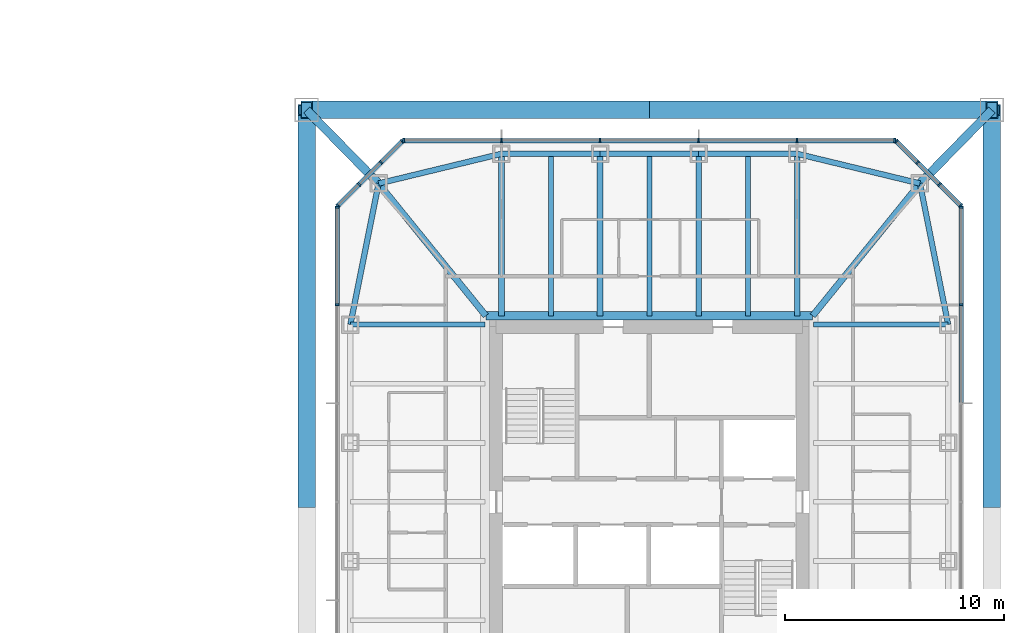
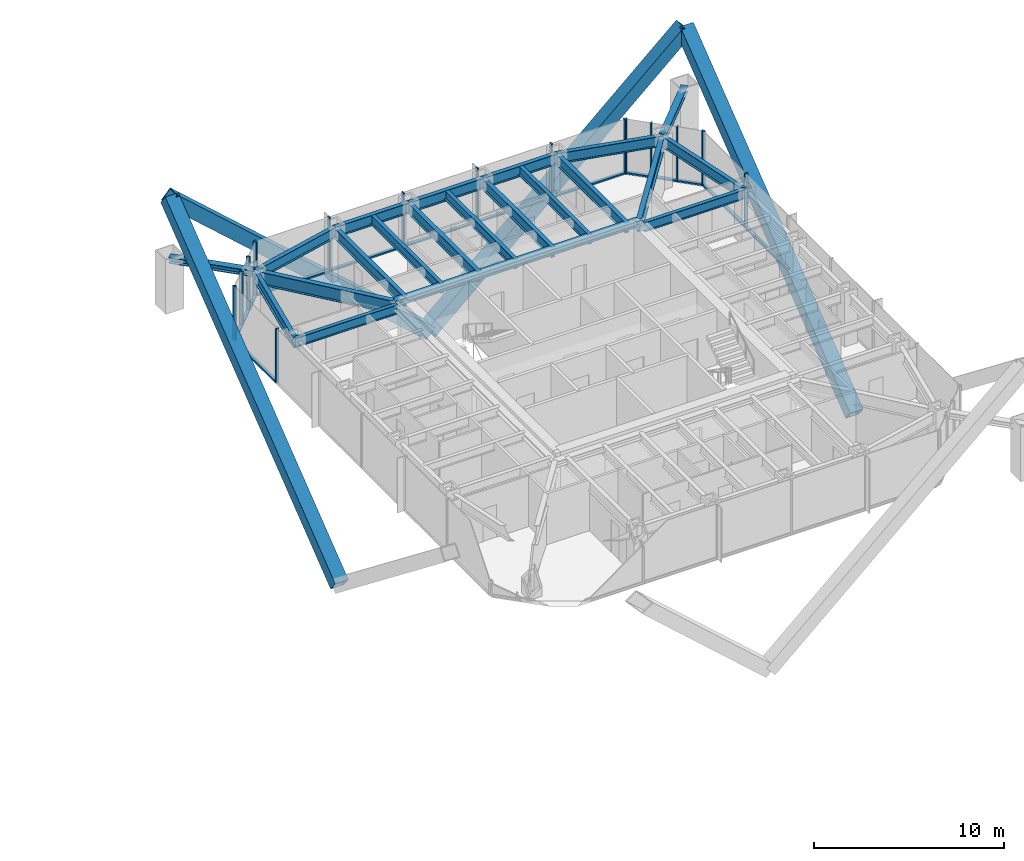
# One storey, part 8 of 23: 38 members, 19 beams, 5 elements without a shape of their own.
"""IFC4 building model written with IfcOpenShell, lengths in metres."""

from ifc_helpers import new_model, si_unit, direction, frame, origin, origin_2d, place, context, subcontext, project, spatial, rectangle, hollow_rectangle, i_section, extrude, material, material_profile, profile_set, type_object, element, aggregate, save


model = new_model("IFC4")

# Units and contexts
model_context = context("Model", 3, precision=1e-05, world=origin(), true_north=direction((0.0, 1.0)))
body_context = subcontext(model_context, "Body", "Model", "MODEL_VIEW")
ifc_project = project(units=[si_unit("LENGTHUNIT", "METRE"), si_unit("AREAUNIT", "SQUARE_METRE"), si_unit("VOLUMEUNIT", "CUBIC_METRE"), si_unit("PLANEANGLEUNIT", "RADIAN"), si_unit("MASSUNIT", "GRAM", prefix="KILO")], contexts=[model_context])

# Site, building, storey
site_placement = place(None, origin())
site = spatial("IfcSite", under=ifc_project, at=site_placement, CompositionType="ELEMENT")
building_placement = place(site_placement, origin())
building = spatial("IfcBuilding", under=site, at=building_placement, Name="Iwan Alto Co-Living Towers", CompositionType="ELEMENT")
storey_placement = place(building_placement, frame((0.0, 0.0, 122.5)))
storey = spatial("IfcBuildingStorey", under=building, at=storey_placement, Name="L33", CompositionType="ELEMENT", Elevation=122.5)

# Curtain wall, members
ifc_material_1 = material(Name="Bronze aluminium unitised frame", Category="aluminium")
curtain_wall_type_1 = type_object("IfcCurtainWallType", Name="CURTAIN WALL CW-C", PredefinedType="NOTDEFINED", material=ifc_material_1)
curtain_wall_1_placement = place(storey_placement, origin())
curtain_wall_1 = element("IfcCurtainWall", 1, at=curtain_wall_1_placement, inside=storey, type_object=curtain_wall_type_1, Name="T2 curtain wall E L33", PredefinedType="NOTDEFINED")
ifc_material_2 = material(Name="Aluminium 6063-T6 bronze anodised", Category="aluminium")
ifc_material_profile_1 = material_profile(ifc_material_2, rectangle(XDim=0.199951171875, YDim=0.080078125, at=origin_2d()), Name="AL 80X200")
ifc_profile_set_1 = profile_set([ifc_material_profile_1], Name="Aluminium 6063-T6 bronze anodised")
member_type_1 = type_object("IfcMemberType", Name="CW-C MULLION 80X200", PredefinedType="MULLION", material=ifc_profile_set_1)
member_1_placement = place(storey_placement, frame((77.25, 9.0, 0.0), z_axis=(0.0, 0.0, 1.0), x_axis=(-1.0, 0.0, 0.0)))
member_1 = element("IfcMember", 2, at=member_1_placement, type_object=member_type_1, Name="CW-C mullion 6", PredefinedType="MULLION", context=body_context, shape_type="SweptSolid", body=[
    extrude(rectangle(XDim=0.199951171875, YDim=0.080078125, at=origin_2d()), origin(), (0.0, 0.0, 1.0), 3.5),
])
member_2_placement = place(storey_placement, frame((77.25, 13.4599609375, 0.0), z_axis=(0.0, 0.0, 1.0), x_axis=(-1.0, 0.0, 0.0)))
member_2 = element("IfcMember", 3, at=member_2_placement, type_object=member_type_1, Name="CW-C mullion 7", PredefinedType="MULLION", context=body_context, shape_type="SweptSolid", body=[
    extrude(rectangle(XDim=0.199951171875, YDim=0.080078125, at=origin_2d()), origin(), (0.0, 0.0, 1.0), 3.5),
])

curtain_wall_2_placement = place(storey_placement, origin())
curtain_wall_2 = element("IfcCurtainWall", 4, at=curtain_wall_2_placement, inside=storey, type_object=curtain_wall_type_1, Name="T2 curtain wall N L33", PredefinedType="NOTDEFINED")
member_3_placement = place(storey_placement, frame((74.2099609375, 16.5, 0.0), z_axis=(0.0, 0.0, 1.0), x_axis=(0.0, -1.0, 0.0)))
member_3 = element("IfcMember", 5, at=member_3_placement, type_object=member_type_1, Name="CW-C mullion 1", PredefinedType="MULLION", context=body_context, shape_type="SweptSolid", body=[
    extrude(rectangle(XDim=0.199951171875, YDim=0.080078125, at=origin_2d()), origin(), (0.0, 0.0, 1.0), 3.5),
])
member_4_placement = place(storey_placement, frame((69.75, 16.5, 0.0), z_axis=(0.0, 0.0, 1.0), x_axis=(0.0, -1.0, 0.0)))
member_4 = element("IfcMember", 6, at=member_4_placement, type_object=member_type_1, Name="CW-C mullion 2", PredefinedType="MULLION", context=body_context, shape_type="SweptSolid", body=[
    extrude(rectangle(XDim=0.199951171875, YDim=0.080078125, at=origin_2d()), origin(), (0.0, 0.0, 1.0), 3.5),
])
member_5_placement = place(storey_placement, frame((65.25, 16.5, 0.0), z_axis=(0.0, 0.0, 1.0), x_axis=(0.0, -1.0, 0.0)))
member_5 = element("IfcMember", 7, at=member_5_placement, type_object=member_type_1, Name="CW-C mullion 3", PredefinedType="MULLION", context=body_context, shape_type="SweptSolid", body=[
    extrude(rectangle(XDim=0.199951171875, YDim=0.080078125, at=origin_2d()), origin(), (0.0, 0.0, 1.0), 3.5),
])
member_6_placement = place(storey_placement, frame((60.75, 16.5, 0.0), z_axis=(0.0, 0.0, 1.0), x_axis=(0.0, -1.0, 0.0)))
member_6 = element("IfcMember", 8, at=member_6_placement, type_object=member_type_1, Name="CW-C mullion 4", PredefinedType="MULLION", context=body_context, shape_type="SweptSolid", body=[
    extrude(rectangle(XDim=0.199951171875, YDim=0.080078125, at=origin_2d()), origin(), (0.0, 0.0, 1.0), 3.5),
])
member_7_placement = place(storey_placement, frame((56.25, 16.5, 0.0), z_axis=(0.0, 0.0, 1.0), x_axis=(0.0, -1.0, 0.0)))
member_7 = element("IfcMember", 9, at=member_7_placement, type_object=member_type_1, Name="CW-C mullion 5", PredefinedType="MULLION", context=body_context, shape_type="SweptSolid", body=[
    extrude(rectangle(XDim=0.199951171875, YDim=0.080078125, at=origin_2d()), origin(), (0.0, 0.0, 1.0), 3.5),
])
member_8_placement = place(storey_placement, frame((51.7900390625, 16.5, 0.0), z_axis=(0.0, 0.0, 1.0), x_axis=(0.0, -1.0, 0.0)))
member_8 = element("IfcMember", 10, at=member_8_placement, type_object=member_type_1, Name="CW-C mullion 6", PredefinedType="MULLION", context=body_context, shape_type="SweptSolid", body=[
    extrude(rectangle(XDim=0.199951171875, YDim=0.080078125, at=origin_2d()), origin(), (0.0, 0.0, 1.0), 3.5),
])

curtain_wall_3_placement = place(storey_placement, origin())
curtain_wall_3 = element("IfcCurtainWall", 11, at=curtain_wall_3_placement, inside=storey, type_object=curtain_wall_type_1, Name="T2 curtain wall W L33", PredefinedType="NOTDEFINED")
member_9_placement = place(storey_placement, frame((48.75, 13.4599609375, 0.0), z_axis=(0.0, 0.0, 1.0), x_axis=(1.0, 0.0, 0.0)))
member_9 = element("IfcMember", 12, at=member_9_placement, type_object=member_type_1, Name="CW-C mullion 1", PredefinedType="MULLION", context=body_context, shape_type="SweptSolid", body=[
    extrude(rectangle(XDim=0.199951171875, YDim=0.080078125, at=origin_2d()), origin(), (0.0, 0.0, 1.0), 3.5),
])
member_10_placement = place(storey_placement, frame((48.75, 9.0, 0.0), z_axis=(0.0, 0.0, 1.0), x_axis=(1.0, 0.0, 0.0)))
member_10 = element("IfcMember", 13, at=member_10_placement, type_object=member_type_1, Name="CW-C mullion 2", PredefinedType="MULLION", context=body_context, shape_type="SweptSolid", body=[
    extrude(rectangle(XDim=0.199951171875, YDim=0.080078125, at=origin_2d()), origin(), (0.0, 0.0, 1.0), 3.5),
])

# Member
ifc_material_3 = material(Name="Aluminium 6063-T6 bronze anodised", Category="aluminium")
ifc_material_profile_2 = material_profile(ifc_material_3, rectangle(XDim=0.199951171875, YDim=0.10009765625, at=origin_2d()), Name="AL 200X100")
ifc_profile_set_2 = profile_set([ifc_material_profile_2], Name="Aluminium 6063-T6 bronze anodised")
member_type_2 = type_object("IfcMemberType", Name="CW-C TRANSOM 200X100", PredefinedType="USERDEFINED", material=ifc_profile_set_2)
member_11_placement = place(storey_placement, frame((77.25, 4.5400390625, 0.050048828125), z_axis=(0.0, 1.0, 0.0), x_axis=(-1.0, 0.0, 0.0)))
member_11 = element("IfcMember", 14, at=member_11_placement, type_object=member_type_2, Name="CW-C transom 5.1", ObjectType="TRANSOM", PredefinedType="USERDEFINED", context=body_context, shape_type="SweptSolid", body=[
    extrude(rectangle(XDim=0.199951171875, YDim=0.10009765625, at=origin_2d()), origin(), (0.0, 0.0, 1.0), 4.419921875),
])

member_12_placement = place(storey_placement, frame((77.25, 9.0400390625, 0.050048828125), z_axis=(0.0, 1.0, 0.0), x_axis=(-1.0, 0.0, 0.0)))
member_12 = element("IfcMember", 15, at=member_12_placement, type_object=member_type_2, Name="CW-C transom 6.1", ObjectType="TRANSOM", PredefinedType="USERDEFINED", context=body_context, shape_type="SweptSolid", body=[
    extrude(rectangle(XDim=0.199951171875, YDim=0.10009765625, at=origin_2d()), origin(), (0.0, 0.0, 1.0), 4.3798828125),
])

aggregate(curtain_wall_1, [member_1, member_2, member_11, member_12])

member_13_placement = place(storey_placement, frame((74.169921875, 16.5, 0.050048828125), z_axis=(-1.0, 0.0, 0.0), x_axis=(0.0, -1.0, 0.0)))
member_13 = element("IfcMember", 16, at=member_13_placement, type_object=member_type_2, Name="CW-C transom 1.1", ObjectType="TRANSOM", PredefinedType="USERDEFINED", context=body_context, shape_type="SweptSolid", body=[
    extrude(rectangle(XDim=0.199951171875, YDim=0.10009765625, at=origin_2d()), origin(), (0.0, 0.0, 1.0), 4.3798828125),
])

member_14_placement = place(storey_placement, frame((69.7099609375, 16.5, 0.050048828125), z_axis=(-1.0, 0.0, 0.0), x_axis=(0.0, -1.0, 0.0)))
member_14 = element("IfcMember", 17, at=member_14_placement, type_object=member_type_2, Name="CW-C transom 2.1", ObjectType="TRANSOM", PredefinedType="USERDEFINED", context=body_context, shape_type="SweptSolid", body=[
    extrude(rectangle(XDim=0.199951171875, YDim=0.10009765625, at=origin_2d()), origin(), (0.0, 0.0, 1.0), 4.419921875),
])

member_15_placement = place(storey_placement, frame((65.2099609375, 16.5, 0.050048828125), z_axis=(-1.0, 0.0, 0.0), x_axis=(0.0, -1.0, 0.0)))
member_15 = element("IfcMember", 18, at=member_15_placement, type_object=member_type_2, Name="CW-C transom 3.1", ObjectType="TRANSOM", PredefinedType="USERDEFINED", context=body_context, shape_type="SweptSolid", body=[
    extrude(rectangle(XDim=0.199951171875, YDim=0.10009765625, at=origin_2d()), origin(), (0.0, 0.0, 1.0), 4.419921875),
])

member_16_placement = place(storey_placement, frame((60.7099609375, 16.5, 0.050048828125), z_axis=(-1.0, 0.0, 0.0), x_axis=(0.0, -1.0, 0.0)))
member_16 = element("IfcMember", 19, at=member_16_placement, type_object=member_type_2, Name="CW-C transom 4.1", ObjectType="TRANSOM", PredefinedType="USERDEFINED", context=body_context, shape_type="SweptSolid", body=[
    extrude(rectangle(XDim=0.199951171875, YDim=0.10009765625, at=origin_2d()), origin(), (0.0, 0.0, 1.0), 4.419921875),
])

member_17_placement = place(storey_placement, frame((56.2099609375, 16.5, 0.050048828125), z_axis=(-1.0, 0.0, 0.0), x_axis=(0.0, -1.0, 0.0)))
member_17 = element("IfcMember", 20, at=member_17_placement, type_object=member_type_2, Name="CW-C transom 5.1", ObjectType="TRANSOM", PredefinedType="USERDEFINED", context=body_context, shape_type="SweptSolid", body=[
    extrude(rectangle(XDim=0.199951171875, YDim=0.10009765625, at=origin_2d()), origin(), (0.0, 0.0, 1.0), 4.3798828125),
])

aggregate(curtain_wall_2, [member_3, member_4, member_5, member_6, member_7, member_8, member_13, member_14, member_15, member_16, member_17])

member_18_placement = place(storey_placement, frame((48.75, 13.419921875, 0.050048828125), z_axis=(0.0, -1.0, 0.0), x_axis=(1.0, 0.0, 0.0)))
member_18 = element("IfcMember", 21, at=member_18_placement, type_object=member_type_2, Name="CW-C transom 1.1", ObjectType="TRANSOM", PredefinedType="USERDEFINED", context=body_context, shape_type="SweptSolid", body=[
    extrude(rectangle(XDim=0.199951171875, YDim=0.10009765625, at=origin_2d()), origin(), (0.0, 0.0, 1.0), 4.3798828125),
])

aggregate(curtain_wall_3, [member_9, member_10, member_18])

# Curtain wall, members
ifc_material_4 = material(Name="Bronze aluminium unitised frame", Category="aluminium")
curtain_wall_type_2 = type_object("IfcCurtainWallType", Name="CURTAIN WALL CW-D", PredefinedType="NOTDEFINED", material=ifc_material_4)
curtain_wall_4_placement = place(storey_placement, origin())
curtain_wall_4 = element("IfcCurtainWall", 22, at=curtain_wall_4_placement, inside=storey, type_object=curtain_wall_type_2, Name="T2 chamfer curtain wall NE L33", PredefinedType="NOTDEFINED")
ifc_material_5 = material(Name="Aluminium 6063-T6 bronze anodised", Category="aluminium")
ifc_material_profile_3 = material_profile(ifc_material_5, rectangle(XDim=0.199951171875, YDim=0.080078125, at=origin_2d()), Name="AL 80X200")
ifc_profile_set_3 = profile_set([ifc_material_profile_3], Name="Aluminium 6063-T6 bronze anodised")
member_type_3 = type_object("IfcMemberType", Name="CW-D MULLION 80X200", PredefinedType="MULLION", material=ifc_profile_set_3)
member_19_placement = place(storey_placement, frame((77.2216796875, 13.5283203125, 0.0), z_axis=(0.0, 0.0, 1.0), x_axis=(-0.707106781187, -0.707106781187, 0.0)))
member_19 = element("IfcMember", 23, at=member_19_placement, type_object=member_type_3, Name="CW-D mullion 1", PredefinedType="MULLION", context=body_context, shape_type="SweptSolid", body=[
    extrude(rectangle(XDim=0.199951171875, YDim=0.080078125, at=origin_2d()), origin(), (0.0, 0.0, 1.0), 3.5),
])
member_20_placement = place(storey_placement, frame((76.25, 14.5, 0.0), z_axis=(0.0, 0.0, 1.0), x_axis=(-0.707106781187, -0.707106781187, 0.0)))
member_20 = element("IfcMember", 24, at=member_20_placement, type_object=member_type_3, Name="CW-D mullion 2", PredefinedType="MULLION", context=body_context, shape_type="SweptSolid", body=[
    extrude(rectangle(XDim=0.199951171875, YDim=0.080078125, at=origin_2d()), origin(), (0.0, 0.0, 1.0), 3.5),
])
member_21_placement = place(storey_placement, frame((75.25, 15.5, 0.0), z_axis=(0.0, 0.0, 1.0), x_axis=(-0.707106781187, -0.707106781187, 0.0)))
member_21 = element("IfcMember", 25, at=member_21_placement, type_object=member_type_3, Name="CW-D mullion 3", PredefinedType="MULLION", context=body_context, shape_type="SweptSolid", body=[
    extrude(rectangle(XDim=0.199951171875, YDim=0.080078125, at=origin_2d()), origin(), (0.0, 0.0, 1.0), 3.5),
])
member_22_placement = place(storey_placement, frame((74.2783203125, 16.4716796875, 0.0), z_axis=(0.0, 0.0, 1.0), x_axis=(-0.707106781187, -0.707106781187, 0.0)))
member_22 = element("IfcMember", 26, at=member_22_placement, type_object=member_type_3, Name="CW-D mullion 4", PredefinedType="MULLION", context=body_context, shape_type="SweptSolid", body=[
    extrude(rectangle(XDim=0.199951171875, YDim=0.080078125, at=origin_2d()), origin(), (0.0, 0.0, 1.0), 3.5),
])

curtain_wall_5_placement = place(storey_placement, origin())
curtain_wall_5 = element("IfcCurtainWall", 27, at=curtain_wall_5_placement, inside=storey, type_object=curtain_wall_type_2, Name="T2 chamfer curtain wall NW L33", PredefinedType="NOTDEFINED")
member_23_placement = place(storey_placement, frame((51.7216796875, 16.4716796875, 0.0), z_axis=(0.0, 0.0, 1.0), x_axis=(0.707106781187, -0.707106781187, 0.0)))
member_23 = element("IfcMember", 28, at=member_23_placement, type_object=member_type_3, Name="CW-D mullion 1", PredefinedType="MULLION", context=body_context, shape_type="SweptSolid", body=[
    extrude(rectangle(XDim=0.199951171875, YDim=0.080078125, at=origin_2d()), origin(), (0.0, 0.0, 1.0), 3.5),
])
member_24_placement = place(storey_placement, frame((50.75, 15.5, 0.0), z_axis=(0.0, 0.0, 1.0), x_axis=(0.707106781187, -0.707106781187, 0.0)))
member_24 = element("IfcMember", 29, at=member_24_placement, type_object=member_type_3, Name="CW-D mullion 2", PredefinedType="MULLION", context=body_context, shape_type="SweptSolid", body=[
    extrude(rectangle(XDim=0.199951171875, YDim=0.080078125, at=origin_2d()), origin(), (0.0, 0.0, 1.0), 3.5),
])
member_25_placement = place(storey_placement, frame((49.75, 14.5, 0.0), z_axis=(0.0, 0.0, 1.0), x_axis=(0.707106781187, -0.707106781187, 0.0)))
member_25 = element("IfcMember", 30, at=member_25_placement, type_object=member_type_3, Name="CW-D mullion 3", PredefinedType="MULLION", context=body_context, shape_type="SweptSolid", body=[
    extrude(rectangle(XDim=0.199951171875, YDim=0.080078125, at=origin_2d()), origin(), (0.0, 0.0, 1.0), 3.5),
])
member_26_placement = place(storey_placement, frame((48.7783203125, 13.5283203125, 0.0), z_axis=(0.0, 0.0, 1.0), x_axis=(0.707106781187, -0.707106781187, 0.0)))
member_26 = element("IfcMember", 31, at=member_26_placement, type_object=member_type_3, Name="CW-D mullion 4", PredefinedType="MULLION", context=body_context, shape_type="SweptSolid", body=[
    extrude(rectangle(XDim=0.199951171875, YDim=0.080078125, at=origin_2d()), origin(), (0.0, 0.0, 1.0), 3.5),
])

# Member
ifc_material_6 = material(Name="Aluminium 6063-T6 bronze anodised", Category="aluminium")
ifc_material_profile_4 = material_profile(ifc_material_6, rectangle(XDim=0.199951171875, YDim=0.10009765625, at=origin_2d()), Name="AL 200X100")
ifc_profile_set_4 = profile_set([ifc_material_profile_4], Name="Aluminium 6063-T6 bronze anodised")
member_type_4 = type_object("IfcMemberType", Name="CW-D TRANSOM 200X100", PredefinedType="USERDEFINED", material=ifc_profile_set_4)
member_27_placement = place(storey_placement, frame((77.193359375, 13.556640625, 0.050048828125), z_axis=(-0.707106781187, 0.707106781187, 0.0), x_axis=(-0.707106781187, -0.707106781187, 0.0)))
member_27 = element("IfcMember", 32, at=member_27_placement, type_object=member_type_4, Name="CW-D transom 1.1", ObjectType="TRANSOM", PredefinedType="USERDEFINED", context=body_context, shape_type="SweptSolid", body=[
    extrude(rectangle(XDim=0.199951171875, YDim=0.10009765625, at=origin_2d()), origin(), (0.0, 0.0, 1.0), 1.2939453125),
])

member_28_placement = place(storey_placement, frame((76.2216796875, 14.5283203125, 0.050048828125), z_axis=(-0.707106781187, 0.707106781187, 0.0), x_axis=(-0.707106781187, -0.707106781187, 0.0)))
member_28 = element("IfcMember", 33, at=member_28_placement, type_object=member_type_4, Name="CW-D transom 2.1", ObjectType="TRANSOM", PredefinedType="USERDEFINED", context=body_context, shape_type="SweptSolid", body=[
    extrude(rectangle(XDim=0.199951171875, YDim=0.10009765625, at=origin_2d()), origin(), (0.0, 0.0, 1.0), 1.334228515625),
])

member_29_placement = place(storey_placement, frame((75.2216796875, 15.5283203125, 0.050048828125), z_axis=(-0.707106781187, 0.707106781187, 0.0), x_axis=(-0.707106781187, -0.707106781187, 0.0)))
member_29 = element("IfcMember", 34, at=member_29_placement, type_object=member_type_4, Name="CW-D transom 3.1", ObjectType="TRANSOM", PredefinedType="USERDEFINED", context=body_context, shape_type="SweptSolid", body=[
    extrude(rectangle(XDim=0.199951171875, YDim=0.10009765625, at=origin_2d()), origin(), (0.0, 0.0, 1.0), 1.2939453125),
])

aggregate(curtain_wall_4, [member_19, member_20, member_21, member_22, member_27, member_28, member_29])

member_30_placement = place(storey_placement, frame((51.693359375, 16.443359375, 0.050048828125), z_axis=(-0.707106781187, -0.707106781187, 0.0), x_axis=(0.707106781187, -0.707106781187, 0.0)))
member_30 = element("IfcMember", 35, at=member_30_placement, type_object=member_type_4, Name="CW-D transom 1.1", ObjectType="TRANSOM", PredefinedType="USERDEFINED", context=body_context, shape_type="SweptSolid", body=[
    extrude(rectangle(XDim=0.199951171875, YDim=0.10009765625, at=origin_2d()), origin(), (0.0, 0.0, 1.0), 1.2939453125),
])

member_31_placement = place(storey_placement, frame((50.7216796875, 15.4716796875, 0.050048828125), z_axis=(-0.707106781187, -0.707106781187, 0.0), x_axis=(0.707106781187, -0.707106781187, 0.0)))
member_31 = element("IfcMember", 36, at=member_31_placement, type_object=member_type_4, Name="CW-D transom 2.1", ObjectType="TRANSOM", PredefinedType="USERDEFINED", context=body_context, shape_type="SweptSolid", body=[
    extrude(rectangle(XDim=0.199951171875, YDim=0.10009765625, at=origin_2d()), origin(), (0.0, 0.0, 1.0), 1.334228515625),
])

member_32_placement = place(storey_placement, frame((49.7216796875, 14.4716796875, 0.050048828125), z_axis=(-0.707106781187, -0.707106781187, 0.0), x_axis=(0.707106781187, -0.707106781187, 0.0)))
member_32 = element("IfcMember", 37, at=member_32_placement, type_object=member_type_4, Name="CW-D transom 3.1", ObjectType="TRANSOM", PredefinedType="USERDEFINED", context=body_context, shape_type="SweptSolid", body=[
    extrude(rectangle(XDim=0.199951171875, YDim=0.10009765625, at=origin_2d()), origin(), (0.0, 0.0, 1.0), 1.2939453125),
])

aggregate(curtain_wall_5, [member_23, member_24, member_25, member_26, member_30, member_31, member_32])

# Beams
ifc_material_7 = material(Name="Steel ASTM A992 Gr 50", Category="steel")
ifc_material_profile_5 = material_profile(ifc_material_7, i_section(OverallWidth=0.398681640625, OverallDepth=0.385986328125, WebThickness=0.02099609375, FlangeThickness=0.033203125, at=origin_2d()), Name="W14X176")
ifc_profile_set_5 = profile_set([ifc_material_profile_5], Name="Steel ASTM A992 Gr 50")
beam_type_1 = type_object("IfcBeamType", Name="T2 CORE LEDGER BEAM W14X176", PredefinedType="BEAM", material=ifc_profile_set_5)
beam_1_placement = place(storey_placement, frame((70.461669921875, 8.49951171875, 3.076904296875), z_axis=(-1.0, 0.0, 0.0), x_axis=(0.0, -1.0, 0.0)))
element("IfcBeam", 38, at=beam_1_placement, inside=storey, type_object=beam_type_1, Name="T2 core ledger beam N L34", PredefinedType="BEAM", context=body_context, shape_type="SweptSolid", body=[
    extrude(i_section(OverallWidth=0.398681640625, OverallDepth=0.385986328125, WebThickness=0.02099609375, FlangeThickness=0.033203125, at=origin_2d()), origin(), (0.0, 0.0, 1.0), 14.92333984375),
])
ifc_material_8 = material(Name="Steel ASTM A992 Gr 50", Category="steel")
ifc_material_profile_6 = material_profile(ifc_material_8, i_section(OverallWidth=0.2919921875, OverallDepth=0.8408203125, WebThickness=0.0146484375, FlangeThickness=0.021728515625, at=origin_2d()), Name="W33X130")
ifc_profile_set_6 = profile_set([ifc_material_profile_6], Name="Steel ASTM A992 Gr 50")
beam_type_2 = type_object("IfcBeamType", Name="T2 CORNER GIRDER W33X130", PredefinedType="BEAM", material=ifc_profile_set_6)
for number, where, z_axis, x_axis, name in (
    (39, (75.361328125, 14.542724609375, 2.849609375), (-0.629783024592, -0.776771100091, 0.0), (0.776771100091, -0.629783024592, 0.0), "T2 corner girder CNE L34"),
    (40, (50.638671875, 14.542724609375, 2.849609375), (0.629783024592, -0.776771100091, 0.0), (0.776771100091, 0.629783024592, 0.0), "T2 corner girder CNW L34"),
):
    element("IfcBeam", number, at=place(storey_placement, frame(where, z_axis=z_axis, x_axis=x_axis)), inside=storey, type_object=beam_type_2, Name=name, PredefinedType="BEAM", context=body_context, shape_type="SweptSolid", body=[
        extrude(i_section(OverallWidth=0.2919921875, OverallDepth=0.8408203125, WebThickness=0.0146484375, FlangeThickness=0.021728515625, at=origin_2d()), origin(), (0.0, 0.0, 1.0), 7.780029296875),
    ])
ifc_material_9 = material(Name="Steel ASTM A992 Gr 50", Category="steel")
ifc_material_profile_7 = material_profile(ifc_material_9, i_section(OverallWidth=0.25390625, OverallDepth=0.683349609375, WebThickness=0.012451171875, FlangeThickness=0.018798828125, at=origin_2d()), Name="W27X94")
ifc_profile_set_7 = profile_set([ifc_material_profile_7], Name="Steel ASTM A992 Gr 50")
beam_type_3 = type_object("IfcBeamType", Name="T2 EDGE BEAM W27X94", PredefinedType="BEAM", material=ifc_profile_set_7)
beam_2_placement = place(storey_placement, frame((76.64990234375, 8.10009765625, 2.928466796875), z_axis=(-0.196123281025, 0.980579246487, 0.0), x_axis=(-0.980579246487, -0.196123281025, 0.0)))
element("IfcBeam", 41, at=beam_2_placement, inside=storey, type_object=beam_type_3, Name="T2 edge beam E4 L34", PredefinedType="BEAM", context=body_context, shape_type="SweptSolid", body=[
    extrude(i_section(OverallWidth=0.25390625, OverallDepth=0.683349609375, WebThickness=0.012451171875, FlangeThickness=0.018798828125, at=origin_2d()), origin(), (0.0, 0.0, 1.0), 6.5703125),
])
beam_3_placement = place(storey_placement, frame((75.361328125, 14.542724609375, 2.928466796875), z_axis=(-0.971974673138, 0.235085590323, 0.0), x_axis=(-0.235085590323, -0.971974673138, 0.0)))
element("IfcBeam", 42, at=beam_3_placement, inside=storey, type_object=beam_type_3, Name="T2 edge beam CNE L34", PredefinedType="BEAM", context=body_context, shape_type="SweptSolid", body=[
    extrude(i_section(OverallWidth=0.25390625, OverallDepth=0.683349609375, WebThickness=0.012451171875, FlangeThickness=0.018798828125, at=origin_2d()), origin(), (0.0, 0.0, 1.0), 5.773193359375),
])
for number, where, z_axis, x_axis, name in (
    (43, (69.75, 15.89990234375, 2.928466796875), (-1.0, 0.0, 0.0), (0.0, -1.0, 0.0), "T2 edge beam N1 L34"),
    (44, (65.25, 15.89990234375, 2.928466796875), (-1.0, 0.0, 0.0), (0.0, -1.0, 0.0), "T2 edge beam N2 L34"),
    (45, (60.75, 15.89990234375, 2.928466796875), (-1.0, 0.0, 0.0), (0.0, -1.0, 0.0), "T2 edge beam N3 L34"),
):
    element("IfcBeam", number, at=place(storey_placement, frame(where, z_axis=z_axis, x_axis=x_axis)), inside=storey, type_object=beam_type_3, Name=name, PredefinedType="BEAM", context=body_context, shape_type="SweptSolid", body=[
        extrude(i_section(OverallWidth=0.25390625, OverallDepth=0.683349609375, WebThickness=0.012451171875, FlangeThickness=0.018798828125, at=origin_2d()), origin(), (0.0, 0.0, 1.0), 4.5),
    ])
beam_4_placement = place(storey_placement, frame((56.25, 15.89990234375, 2.928466796875), z_axis=(-0.971974673138, -0.235085590323, 0.0), x_axis=(0.235085590323, -0.971974673138, 0.0)))
element("IfcBeam", 46, at=beam_4_placement, inside=storey, type_object=beam_type_3, Name="T2 edge beam N4 L34", PredefinedType="BEAM", context=body_context, shape_type="SweptSolid", body=[
    extrude(i_section(OverallWidth=0.25390625, OverallDepth=0.683349609375, WebThickness=0.012451171875, FlangeThickness=0.018798828125, at=origin_2d()), origin(), (0.0, 0.0, 1.0), 5.773193359375),
])
beam_5_placement = place(storey_placement, frame((50.638671875, 14.542724609375, 2.928466796875), z_axis=(-0.196123281025, -0.980579246487, 0.0), x_axis=(0.980579246487, -0.196123281025, 0.0)))
element("IfcBeam", 47, at=beam_5_placement, inside=storey, type_object=beam_type_3, Name="T2 edge beam CNW L34", PredefinedType="BEAM", context=body_context, shape_type="SweptSolid", body=[
    extrude(i_section(OverallWidth=0.25390625, OverallDepth=0.683349609375, WebThickness=0.012451171875, FlangeThickness=0.018798828125, at=origin_2d()), origin(), (0.0, 0.0, 1.0), 6.5703125),
])

# Members
ifc_material_10 = material(Name="Steel ASTM A572 Gr 50", Category="steel")
ifc_material_profile_8 = material_profile(ifc_material_10, hollow_rectangle(XDim=0.800048828125, YDim=0.800048828125, WallThickness=0.050048828125, at=origin_2d()), Name="BOX 800X800X50")
ifc_profile_set_8 = profile_set([ifc_material_profile_8], Name="Steel ASTM A572 Gr 50")
member_type_5 = type_object("IfcMemberType", Name="T2 MEGA BRACE BOX 800X800X50", PredefinedType="BRACE", material=ifc_profile_set_8)
member_33_placement = place(storey_placement, frame((78.64990234375, 0.0, -7.0), z_axis=(0.0, 0.787689053125, 0.616073011572), x_axis=(-1.0, 0.0, 0.0)))
element("IfcMember", 48, at=member_33_placement, inside=storey, type_object=member_type_5, Name="T2 mega brace Z2B E 1 upper", PredefinedType="BRACE", context=body_context, shape_type="SweptSolid", body=[
    extrude(hollow_rectangle(XDim=0.800048828125, YDim=0.800048828125, WallThickness=0.050048828125, at=origin_2d()), origin(), (0.0, 0.0, 1.0), 22.724609375),
])
for number, where, z_axis, x_axis, name in (
    (49, (63.0, 17.89990234375, -7.0), (-0.745301519455, 0.0, 0.666727564376), (0.0, -1.0, 0.0), "T2 mega brace Z2B N 1 upper"),
    (50, (63.0, 17.89990234375, -7.0), (0.745301519455, 0.0, 0.666727564376), (0.0, 1.0, 0.0), "T2 mega brace Z2B N 2 upper"),
):
    element("IfcMember", number, at=place(storey_placement, frame(where, z_axis=z_axis, x_axis=x_axis)), inside=storey, type_object=member_type_5, Name=name, PredefinedType="BRACE", context=body_context, shape_type="SweptSolid", body=[
        extrude(hollow_rectangle(XDim=0.800048828125, YDim=0.800048828125, WallThickness=0.050048828125, at=origin_2d()), origin(), (0.0, 0.0, 1.0), 20.998046875),
    ])
member_34_placement = place(storey_placement, frame((47.35009765625, 0.0, -7.0), z_axis=(0.0, 0.787689053125, 0.616073011572), x_axis=(-1.0, 0.0, 0.0)))
element("IfcMember", 51, at=member_34_placement, inside=storey, type_object=member_type_5, Name="T2 mega brace Z2B W 2 upper", PredefinedType="BRACE", context=body_context, shape_type="SweptSolid", body=[
    extrude(hollow_rectangle(XDim=0.800048828125, YDim=0.800048828125, WallThickness=0.050048828125, at=origin_2d()), origin(), (0.0, 0.0, 1.0), 22.724609375),
])
ifc_material_11 = material(Name="Steel ASTM A992 Gr 50", Category="steel")
ifc_material_profile_9 = material_profile(ifc_material_11, i_section(OverallWidth=0.393798828125, OverallDepth=0.3759765625, WebThickness=0.017333984375, FlangeThickness=0.027587890625, at=origin_2d()), Name="W14X145")
ifc_profile_set_9 = profile_set([ifc_material_profile_9], Name="Steel ASTM A992 Gr 50")
member_type_6 = type_object("IfcMemberType", Name="T2 MEGA COLUMN FLOOR TIE W14X145", PredefinedType="STRUT", material=ifc_profile_set_9)
for number, where, z_axis, x_axis, name in (
    (52, (78.64990234375, 17.89990234375, 3.08203125), (-0.699770096147, -0.714368121166, 0.0), (0.714368121166, -0.699770096147, 0.0), "T2 mega column floor tie NE L34"),
    (53, (47.35009765625, 17.89990234375, 3.08203125), (0.699770096147, -0.714368121166, 0.0), (0.714368121166, 0.699770096147, 0.0), "T2 mega column floor tie NW L34"),
):
    element("IfcMember", number, at=place(storey_placement, frame(where, z_axis=z_axis, x_axis=x_axis)), inside=storey, type_object=member_type_6, Name=name, PredefinedType="STRUT", context=body_context, shape_type="SweptSolid", body=[
        extrude(i_section(OverallWidth=0.393798828125, OverallDepth=0.3759765625, WebThickness=0.017333984375, FlangeThickness=0.027587890625, at=origin_2d()), origin(), (0.0, 0.0, 1.0), 4.699462890625),
    ])

# Beams
ifc_material_12 = material(Name="Steel ASTM A992 Gr 50", Category="steel")
ifc_material_profile_10 = material_profile(ifc_material_12, i_section(OverallWidth=0.228271484375, OverallDepth=0.607177734375, WebThickness=0.01123046875, FlangeThickness=0.017333984375, at=origin_2d()), Name="W24X76")
ifc_profile_set_10 = profile_set([ifc_material_profile_10], Name="Steel ASTM A992 Gr 50")
beam_type_4 = type_object("IfcBeamType", Name="T2 RADIAL BEAM W24X76", PredefinedType="BEAM", material=ifc_profile_set_10)
for number, where, z_axis, x_axis, name in (
    (54, (76.64990234375, 8.10009765625, 2.966552734375), (-1.0, 0.0, 0.0), (0.0, -1.0, 0.0), "T2 radial beam E4 L34"),
    (55, (49.35009765625, 8.10009765625, 2.966552734375), (1.0, 0.0, 0.0), (0.0, 1.0, 0.0), "T2 radial beam W1 L34"),
):
    element("IfcBeam", number, at=place(storey_placement, frame(where, z_axis=z_axis, x_axis=x_axis)), inside=storey, type_object=beam_type_4, Name=name, PredefinedType="BEAM", context=body_context, shape_type="SweptSolid", body=[
        extrude(i_section(OverallWidth=0.228271484375, OverallDepth=0.607177734375, WebThickness=0.01123046875, FlangeThickness=0.017333984375, at=origin_2d()), origin(), (0.0, 0.0, 1.0), 6.150390625),
    ])
ifc_material_13 = material(Name="Steel ASTM A992 Gr 50", Category="steel")
ifc_material_profile_11 = material_profile(ifc_material_13, i_section(OverallWidth=0.25390625, OverallDepth=0.683349609375, WebThickness=0.012451171875, FlangeThickness=0.018798828125, at=origin_2d()), Name="W27X94")
ifc_profile_set_11 = profile_set([ifc_material_profile_11], Name="Steel ASTM A992 Gr 50")
beam_type_5 = type_object("IfcBeamType", Name="T2 RADIAL BEAM W27X94", PredefinedType="BEAM", material=ifc_profile_set_11)
for number, where, z_axis, x_axis, name in (
    (56, (69.75, 15.89990234375, 2.928466796875), (0.0, -1.0, 0.0), (1.0, 0.0, 0.0), "T2 radial beam N1 L34"),
    (57, (65.25, 15.89990234375, 2.928466796875), (0.0, -1.0, 0.0), (1.0, 0.0, 0.0), "T2 radial beam N2 L34"),
    (58, (60.75, 15.89990234375, 2.928466796875), (0.0, -1.0, 0.0), (1.0, 0.0, 0.0), "T2 radial beam N3 L34"),
    (59, (56.25, 15.89990234375, 2.928466796875), (0.0, -1.0, 0.0), (1.0, 0.0, 0.0), "T2 radial beam N4 L34"),
):
    element("IfcBeam", number, at=place(storey_placement, frame(where, z_axis=z_axis, x_axis=x_axis)), inside=storey, type_object=beam_type_5, Name=name, PredefinedType="BEAM", context=body_context, shape_type="SweptSolid", body=[
        extrude(i_section(OverallWidth=0.25390625, OverallDepth=0.683349609375, WebThickness=0.012451171875, FlangeThickness=0.018798828125, at=origin_2d()), origin(), (0.0, 0.0, 1.0), 7.400390625),
    ])
ifc_material_14 = material(Name="Steel ASTM A992 Gr 50", Category="steel")
ifc_material_profile_12 = material_profile(ifc_material_14, i_section(OverallWidth=0.228271484375, OverallDepth=0.607177734375, WebThickness=0.01123046875, FlangeThickness=0.017333984375, at=origin_2d()), Name="W24X76")
ifc_profile_set_12 = profile_set([ifc_material_profile_12], Name="Steel ASTM A992 Gr 50")
beam_type_6 = type_object("IfcBeamType", Name="T2 SECONDARY BEAM W24X76", PredefinedType="JOIST", material=ifc_profile_set_12)
for number, where, z_axis, x_axis, name in (
    (60, (67.5, 15.89990234375, 2.966552734375), (0.0, -1.0, 0.0), (1.0, 0.0, 0.0), "T2 secondary beam N1 L34"),
    (61, (63.0, 15.89990234375, 2.966552734375), (0.0, -1.0, 0.0), (1.0, 0.0, 0.0), "T2 secondary beam N2 L34"),
    (62, (58.5, 15.89990234375, 2.966552734375), (0.0, -1.0, 0.0), (1.0, 0.0, 0.0), "T2 secondary beam N3 L34"),
):
    element("IfcBeam", number, at=place(storey_placement, frame(where, z_axis=z_axis, x_axis=x_axis)), inside=storey, type_object=beam_type_6, Name=name, PredefinedType="JOIST", context=body_context, shape_type="SweptSolid", body=[
        extrude(i_section(OverallWidth=0.228271484375, OverallDepth=0.607177734375, WebThickness=0.01123046875, FlangeThickness=0.017333984375, at=origin_2d()), origin(), (0.0, 0.0, 1.0), 7.400390625),
    ])

save(model, "model.ifc")
